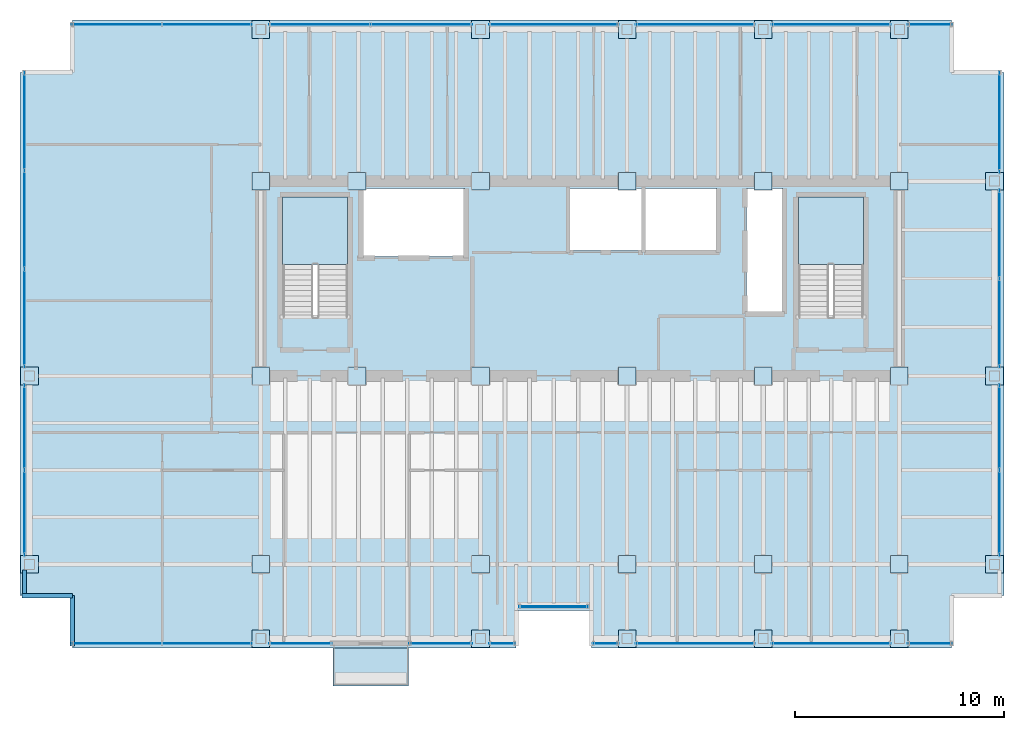
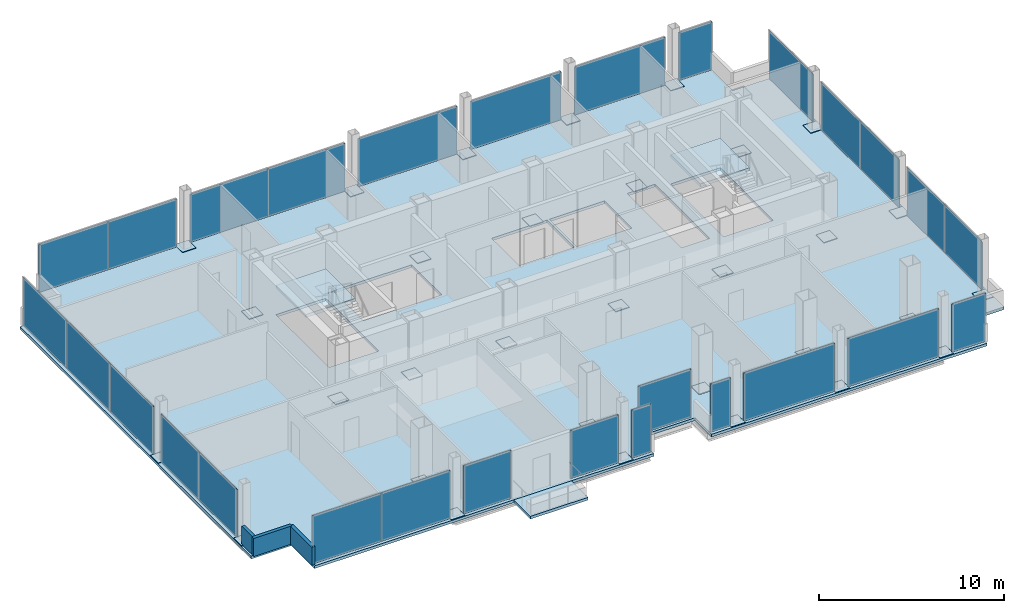
# One storey, part 15 of 19: 60 plates, 4 slabs, 3 walls, 6 openings, 22 elements without a shape of their own.
"""IFC4 building model written with IfcOpenShell, lengths in metres."""

from ifc_helpers import new_model, si_unit, direction, frame, frame_2d, origin, origin_2d, place, context, subcontext, project, spatial, polyline, rectangle, outline, extrude, material, layer, layer_set, type_object, element, aggregate, save


model = new_model("IFC4")

# Units and contexts
model_context = context("Model", 3, precision=1e-05, world=origin(), true_north=direction((0.0, 1.0)))
body_context = subcontext(model_context, "Body", "Model", "MODEL_VIEW")
ifc_project = project(units=[si_unit("LENGTHUNIT", "METRE"), si_unit("AREAUNIT", "SQUARE_METRE"), si_unit("VOLUMEUNIT", "CUBIC_METRE"), si_unit("PLANEANGLEUNIT", "RADIAN"), si_unit("MASSUNIT", "GRAM", prefix="KILO")], contexts=[model_context])

# Site, building, storey
site_placement = place(None, origin())
site = spatial("IfcSite", under=ifc_project, at=site_placement, CompositionType="ELEMENT")
building_placement = place(site_placement, origin())
building = spatial("IfcBuilding", under=site, at=building_placement, Name="Noeulbin Bourse Tower", CompositionType="ELEMENT")
storey_placement = place(building_placement, frame((0.0, 0.0, 153.89990234375)))
storey = spatial("IfcBuildingStorey", under=building, at=storey_placement, Name="L38", CompositionType="ELEMENT", Elevation=153.89990234375)

# Curtain wall, plate
ifc_material_1 = material(Name="Dark Tinted Triple Glazing", Category="glass")
curtain_wall_type = type_object("IfcCurtainWallType", Name="CW-SYS-3", PredefinedType="NOTDEFINED", material=ifc_material_1)
curtain_wall_1_placement = place(storey_placement, origin())
curtain_wall_1 = element("IfcCurtainWall", 1, at=curtain_wall_1_placement, inside=storey, type_object=curtain_wall_type, Name="Unitised Curtain Wall CW-L38-SREC", PredefinedType="NOTDEFINED")
ifc_layer_1 = layer(ifc_material_1, 0.035888671875)
ifc_layer_set_1 = layer_set([ifc_layer_1], Name="Dark Tinted Triple Glazing")
plate_type_1 = type_object("IfcPlateType", Name="CW-SYS-3-PNL", PredefinedType="CURTAIN_PANEL", material=ifc_layer_set_1)
plate_1_placement = place(storey_placement, frame((27.5, 17.97998046875, 0.0), z_axis=(0.0, 0.0, 1.0), x_axis=(1.0, 0.0, 0.0)))
plate_1 = element("IfcPlate", 2, at=plate_1_placement, type_object=plate_type_1, Name="Glazed Curtain Panel CW-L38-SREC-P00", PredefinedType="CURTAIN_PANEL", context=body_context, shape_type="SweptSolid", body=[
    extrude(rectangle(XDim=3.300048828125, YDim=0.035888671875, at=origin_2d()), origin(), (0.0, 0.0, 1.0), 3.179931640625),
])
aggregate(curtain_wall_1, [plate_1])

# Curtain wall, plates
curtain_wall_2_placement = place(storey_placement, origin())
curtain_wall_2 = element("IfcCurtainWall", 3, at=curtain_wall_2_placement, inside=storey, type_object=curtain_wall_type, Name="Unitised Curtain Wall CW-L38-S1-S1", PredefinedType="NOTDEFINED")
plate_2_placement = place(storey_placement, frame((6.632568359375, 16.219970703125, 0.0), z_axis=(0.0, 0.0, 1.0), x_axis=(1.0, 0.0, 0.0)))
plate_2 = element("IfcPlate", 4, at=plate_2_placement, type_object=plate_type_1, Name="Glazed Curtain Panel CW-L38-S1-S1-P00", PredefinedType="CURTAIN_PANEL", context=body_context, shape_type="SweptSolid", body=[
    extrude(rectangle(XDim=4.304931640625, YDim=0.035888671875, at=origin_2d()), origin(), (0.0, 0.0, 1.0), 3.179931640625),
])
plate_3_placement = place(storey_placement, frame((10.9375, 16.219970703125, 0.0), z_axis=(0.0, 0.0, 1.0), x_axis=(1.0, 0.0, 0.0)))
plate_3 = element("IfcPlate", 5, at=plate_3_placement, type_object=plate_type_1, Name="Glazed Curtain Panel CW-L38-S1-S1-P01", PredefinedType="CURTAIN_PANEL", context=body_context, shape_type="SweptSolid", body=[
    extrude(rectangle(XDim=4.304931640625, YDim=0.035888671875, at=origin_2d()), origin(), (0.0, 0.0, 1.0), 3.179931640625),
])
aggregate(curtain_wall_2, [plate_2, plate_3])

# Curtain wall, plate
curtain_wall_3_placement = place(storey_placement, origin())
curtain_wall_3 = element("IfcCurtainWall", 6, at=curtain_wall_3_placement, inside=storey, type_object=curtain_wall_type, Name="Unitised Curtain Wall CW-L38-S1-S2", PredefinedType="NOTDEFINED")
plate_4_placement = place(storey_placement, frame((15.405029296875, 16.219970703125, 0.0), z_axis=(0.0, 0.0, 1.0), x_axis=(1.0, 0.0, 0.0)))
plate_4 = element("IfcPlate", 7, at=plate_4_placement, type_object=plate_type_1, Name="Glazed Curtain Panel CW-L38-S1-S2-P00", PredefinedType="CURTAIN_PANEL", context=body_context, shape_type="SweptSolid", body=[
    extrude(rectangle(XDim=2.989990234375, YDim=0.035888671875, at=origin_2d()), origin(), (0.0, 0.0, 1.0), 3.179931640625),
])
aggregate(curtain_wall_3, [plate_4])

curtain_wall_4_placement = place(storey_placement, origin())
curtain_wall_4 = element("IfcCurtainWall", 8, at=curtain_wall_4_placement, inside=storey, type_object=curtain_wall_type, Name="Unitised Curtain Wall CW-L38-S2-S1", PredefinedType="NOTDEFINED")
plate_5_placement = place(storey_placement, frame((22.094970703125, 16.219970703125, 0.0), z_axis=(0.0, 0.0, 1.0), x_axis=(1.0, 0.0, 0.0)))
plate_5 = element("IfcPlate", 9, at=plate_5_placement, type_object=plate_type_1, Name="Glazed Curtain Panel CW-L38-S2-S1-P00", PredefinedType="CURTAIN_PANEL", context=body_context, shape_type="SweptSolid", body=[
    extrude(rectangle(XDim=2.989990234375, YDim=0.035888671875, at=origin_2d()), origin(), (0.0, 0.0, 1.0), 3.179931640625),
])
aggregate(curtain_wall_4, [plate_5])

curtain_wall_5_placement = place(storey_placement, origin())
curtain_wall_5 = element("IfcCurtainWall", 10, at=curtain_wall_5_placement, inside=storey, type_object=curtain_wall_type, Name="Unitised Curtain Wall CW-L38-S2-S2", PredefinedType="NOTDEFINED")
plate_6_placement = place(storey_placement, frame((25.030029296875, 16.219970703125, 0.0), z_axis=(0.0, 0.0, 1.0), x_axis=(1.0, 0.0, 0.0)))
plate_6 = element("IfcPlate", 11, at=plate_6_placement, type_object=plate_type_1, Name="Glazed Curtain Panel CW-L38-S2-S2-P00", PredefinedType="CURTAIN_PANEL", context=body_context, shape_type="SweptSolid", body=[
    extrude(rectangle(XDim=1.239990234375, YDim=0.035888671875, at=origin_2d()), origin(), (0.0, 0.0, 1.0), 3.179931640625),
])
aggregate(curtain_wall_5, [plate_6])

curtain_wall_6_placement = place(storey_placement, origin())
curtain_wall_6 = element("IfcCurtainWall", 12, at=curtain_wall_6_placement, inside=storey, type_object=curtain_wall_type, Name="Unitised Curtain Wall CW-L38-S3-S1", PredefinedType="NOTDEFINED")
plate_7_placement = place(storey_placement, frame((29.969970703125, 16.219970703125, 0.0), z_axis=(0.0, 0.0, 1.0), x_axis=(1.0, 0.0, 0.0)))
plate_7 = element("IfcPlate", 13, at=plate_7_placement, type_object=plate_type_1, Name="Glazed Curtain Panel CW-L38-S3-S1-P00", PredefinedType="CURTAIN_PANEL", context=body_context, shape_type="SweptSolid", body=[
    extrude(rectangle(XDim=1.239990234375, YDim=0.035888671875, at=origin_2d()), origin(), (0.0, 0.0, 1.0), 3.179931640625),
])
aggregate(curtain_wall_6, [plate_7])

curtain_wall_7_placement = place(storey_placement, origin())
curtain_wall_7 = element("IfcCurtainWall", 14, at=curtain_wall_7_placement, inside=storey, type_object=curtain_wall_type, Name="Unitised Curtain Wall CW-L38-S3-S2", PredefinedType="NOTDEFINED")
plate_8_placement = place(storey_placement, frame((34.25, 16.219970703125, 0.0), z_axis=(0.0, 0.0, 1.0), x_axis=(1.0, 0.0, 0.0)))
plate_8 = element("IfcPlate", 15, at=plate_8_placement, type_object=plate_type_1, Name="Glazed Curtain Panel CW-L38-S3-S2-P00", PredefinedType="CURTAIN_PANEL", context=body_context, shape_type="SweptSolid", body=[
    extrude(rectangle(XDim=5.679931640625, YDim=0.035888671875, at=origin_2d()), origin(), (0.0, 0.0, 1.0), 3.179931640625),
])
aggregate(curtain_wall_7, [plate_8])

curtain_wall_8_placement = place(storey_placement, origin())
curtain_wall_8 = element("IfcCurtainWall", 16, at=curtain_wall_8_placement, inside=storey, type_object=curtain_wall_type, Name="Unitised Curtain Wall CW-L38-S3-S3", PredefinedType="NOTDEFINED")
plate_9_placement = place(storey_placement, frame((40.75, 16.219970703125, 0.0), z_axis=(0.0, 0.0, 1.0), x_axis=(1.0, 0.0, 0.0)))
plate_9 = element("IfcPlate", 17, at=plate_9_placement, type_object=plate_type_1, Name="Glazed Curtain Panel CW-L38-S3-S3-P00", PredefinedType="CURTAIN_PANEL", context=body_context, shape_type="SweptSolid", body=[
    extrude(rectangle(XDim=5.679931640625, YDim=0.035888671875, at=origin_2d()), origin(), (0.0, 0.0, 1.0), 3.179931640625),
])
aggregate(curtain_wall_8, [plate_9])

curtain_wall_9_placement = place(storey_placement, origin())
curtain_wall_9 = element("IfcCurtainWall", 18, at=curtain_wall_9_placement, inside=storey, type_object=curtain_wall_type, Name="Unitised Curtain Wall CW-L38-S3-S4", PredefinedType="NOTDEFINED")
plate_10_placement = place(storey_placement, frame((45.465087890625, 16.219970703125, 0.0), z_axis=(0.0, 0.0, 1.0), x_axis=(1.0, 0.0, 0.0)))
plate_10 = element("IfcPlate", 19, at=plate_10_placement, type_object=plate_type_1, Name="Glazed Curtain Panel CW-L38-S3-S4-P00", PredefinedType="CURTAIN_PANEL", context=body_context, shape_type="SweptSolid", body=[
    extrude(rectangle(XDim=2.110107421875, YDim=0.035888671875, at=origin_2d()), origin(), (0.0, 0.0, 1.0), 3.179931640625),
])
aggregate(curtain_wall_9, [plate_10])

# Curtain wall, plates
curtain_wall_10_placement = place(storey_placement, origin())
curtain_wall_10 = element("IfcCurtainWall", 20, at=curtain_wall_10_placement, inside=storey, type_object=curtain_wall_type, Name="Unitised Curtain Wall CW-L38-N-S1", PredefinedType="NOTDEFINED")
plate_11_placement = place(storey_placement, frame((6.632568359375, 45.780029296875, 0.0), z_axis=(0.0, 0.0, 1.0), x_axis=(1.0, 0.0, 0.0)))
plate_11 = element("IfcPlate", 21, at=plate_11_placement, type_object=plate_type_1, Name="Glazed Curtain Panel CW-L38-N-S1-P00", PredefinedType="CURTAIN_PANEL", context=body_context, shape_type="SweptSolid", body=[
    extrude(rectangle(XDim=4.304931640625, YDim=0.035888671875, at=origin_2d()), origin(), (0.0, 0.0, 1.0), 3.179931640625),
])
plate_12_placement = place(storey_placement, frame((10.9375, 45.780029296875, 0.0), z_axis=(0.0, 0.0, 1.0), x_axis=(1.0, 0.0, 0.0)))
plate_12 = element("IfcPlate", 22, at=plate_12_placement, type_object=plate_type_1, Name="Glazed Curtain Panel CW-L38-N-S1-P01", PredefinedType="CURTAIN_PANEL", context=body_context, shape_type="SweptSolid", body=[
    extrude(rectangle(XDim=4.304931640625, YDim=0.035888671875, at=origin_2d()), origin(), (0.0, 0.0, 1.0), 3.179931640625),
])
aggregate(curtain_wall_10, [plate_11, plate_12])

curtain_wall_11_placement = place(storey_placement, origin())
curtain_wall_11 = element("IfcCurtainWall", 23, at=curtain_wall_11_placement, inside=storey, type_object=curtain_wall_type, Name="Unitised Curtain Wall CW-L38-N-S2", PredefinedType="NOTDEFINED")
plate_13_placement = place(storey_placement, frame((16.330078125, 45.780029296875, 0.0), z_axis=(0.0, 0.0, 1.0), x_axis=(1.0, 0.0, 0.0)))
plate_13 = element("IfcPlate", 24, at=plate_13_placement, type_object=plate_type_1, Name="Glazed Curtain Panel CW-L38-N-S2-P00", PredefinedType="CURTAIN_PANEL", context=body_context, shape_type="SweptSolid", body=[
    extrude(rectangle(XDim=4.840087890625, YDim=0.035888671875, at=origin_2d()), origin(), (0.0, 0.0, 1.0), 3.179931640625),
])
plate_14_placement = place(storey_placement, frame((21.169921875, 45.780029296875, 0.0), z_axis=(0.0, 0.0, 1.0), x_axis=(1.0, 0.0, 0.0)))
plate_14 = element("IfcPlate", 25, at=plate_14_placement, type_object=plate_type_1, Name="Glazed Curtain Panel CW-L38-N-S2-P01", PredefinedType="CURTAIN_PANEL", context=body_context, shape_type="SweptSolid", body=[
    extrude(rectangle(XDim=4.840087890625, YDim=0.035888671875, at=origin_2d()), origin(), (0.0, 0.0, 1.0), 3.179931640625),
])
aggregate(curtain_wall_11, [plate_13, plate_14])

# Curtain wall, plate
curtain_wall_12_placement = place(storey_placement, origin())
curtain_wall_12 = element("IfcCurtainWall", 26, at=curtain_wall_12_placement, inside=storey, type_object=curtain_wall_type, Name="Unitised Curtain Wall CW-L38-N-S3", PredefinedType="NOTDEFINED")
plate_15_placement = place(storey_placement, frame((27.5, 45.780029296875, 0.0), z_axis=(0.0, 0.0, 1.0), x_axis=(1.0, 0.0, 0.0)))
plate_15 = element("IfcPlate", 27, at=plate_15_placement, type_object=plate_type_1, Name="Glazed Curtain Panel CW-L38-N-S3-P00", PredefinedType="CURTAIN_PANEL", context=body_context, shape_type="SweptSolid", body=[
    extrude(rectangle(XDim=6.179931640625, YDim=0.035888671875, at=origin_2d()), origin(), (0.0, 0.0, 1.0), 3.179931640625),
])
aggregate(curtain_wall_12, [plate_15])

curtain_wall_13_placement = place(storey_placement, origin())
curtain_wall_13 = element("IfcCurtainWall", 28, at=curtain_wall_13_placement, inside=storey, type_object=curtain_wall_type, Name="Unitised Curtain Wall CW-L38-N-S4", PredefinedType="NOTDEFINED")
plate_16_placement = place(storey_placement, frame((34.25, 45.780029296875, 0.0), z_axis=(0.0, 0.0, 1.0), x_axis=(1.0, 0.0, 0.0)))
plate_16 = element("IfcPlate", 29, at=plate_16_placement, type_object=plate_type_1, Name="Glazed Curtain Panel CW-L38-N-S4-P00", PredefinedType="CURTAIN_PANEL", context=body_context, shape_type="SweptSolid", body=[
    extrude(rectangle(XDim=5.679931640625, YDim=0.035888671875, at=origin_2d()), origin(), (0.0, 0.0, 1.0), 3.179931640625),
])
aggregate(curtain_wall_13, [plate_16])

curtain_wall_14_placement = place(storey_placement, origin())
curtain_wall_14 = element("IfcCurtainWall", 30, at=curtain_wall_14_placement, inside=storey, type_object=curtain_wall_type, Name="Unitised Curtain Wall CW-L38-N-S5", PredefinedType="NOTDEFINED")
plate_17_placement = place(storey_placement, frame((40.75, 45.780029296875, 0.0), z_axis=(0.0, 0.0, 1.0), x_axis=(1.0, 0.0, 0.0)))
plate_17 = element("IfcPlate", 31, at=plate_17_placement, type_object=plate_type_1, Name="Glazed Curtain Panel CW-L38-N-S5-P00", PredefinedType="CURTAIN_PANEL", context=body_context, shape_type="SweptSolid", body=[
    extrude(rectangle(XDim=5.679931640625, YDim=0.035888671875, at=origin_2d()), origin(), (0.0, 0.0, 1.0), 3.179931640625),
])
aggregate(curtain_wall_14, [plate_17])

curtain_wall_15_placement = place(storey_placement, origin())
curtain_wall_15 = element("IfcCurtainWall", 32, at=curtain_wall_15_placement, inside=storey, type_object=curtain_wall_type, Name="Unitised Curtain Wall CW-L38-N-S6", PredefinedType="NOTDEFINED")
plate_18_placement = place(storey_placement, frame((45.465087890625, 45.780029296875, 0.0), z_axis=(0.0, 0.0, 1.0), x_axis=(1.0, 0.0, 0.0)))
plate_18 = element("IfcPlate", 33, at=plate_18_placement, type_object=plate_type_1, Name="Glazed Curtain Panel CW-L38-N-S6-P00", PredefinedType="CURTAIN_PANEL", context=body_context, shape_type="SweptSolid", body=[
    extrude(rectangle(XDim=2.110107421875, YDim=0.035888671875, at=origin_2d()), origin(), (0.0, 0.0, 1.0), 3.179931640625),
])
aggregate(curtain_wall_15, [plate_18])

# Curtain wall, plates
curtain_wall_16_placement = place(storey_placement, origin())
curtain_wall_16 = element("IfcCurtainWall", 34, at=curtain_wall_16_placement, inside=storey, type_object=curtain_wall_type, Name="Unitised Curtain Wall CW-L38-W-S1", PredefinedType="NOTDEFINED")
plate_19_placement = place(storey_placement, frame((2.219970703125, 22.455078125, 0.0), z_axis=(0.0, 0.0, 1.0), x_axis=(0.0, 1.0, 0.0)))
plate_19 = element("IfcPlate", 35, at=plate_19_placement, type_object=plate_type_1, Name="Glazed Curtain Panel CW-L38-W-S1-P00", PredefinedType="CURTAIN_PANEL", context=body_context, shape_type="SweptSolid", body=[
    extrude(rectangle(XDim=4.090087890625, YDim=0.035888671875, at=origin_2d()), origin(), (0.0, 0.0, 1.0), 3.179931640625),
])
plate_20_placement = place(storey_placement, frame((2.219970703125, 26.544921875, 0.0), z_axis=(0.0, 0.0, 1.0), x_axis=(0.0, 1.0, 0.0)))
plate_20 = element("IfcPlate", 36, at=plate_20_placement, type_object=plate_type_1, Name="Glazed Curtain Panel CW-L38-W-S1-P01", PredefinedType="CURTAIN_PANEL", context=body_context, shape_type="SweptSolid", body=[
    extrude(rectangle(XDim=4.090087890625, YDim=0.035888671875, at=origin_2d()), origin(), (0.0, 0.0, 1.0), 3.179931640625),
])
aggregate(curtain_wall_16, [plate_19, plate_20])

curtain_wall_17_placement = place(storey_placement, origin())
curtain_wall_17 = element("IfcCurtainWall", 37, at=curtain_wall_17_placement, inside=storey, type_object=curtain_wall_type, Name="Unitised Curtain Wall CW-L38-W-S2", PredefinedType="NOTDEFINED")
plate_21_placement = place(storey_placement, frame((2.219970703125, 31.76171875, 0.0), z_axis=(0.0, 0.0, 1.0), x_axis=(0.0, 1.0, 0.0)))
plate_21 = element("IfcPlate", 38, at=plate_21_placement, type_object=plate_type_1, Name="Glazed Curtain Panel CW-L38-W-S2-P00", PredefinedType="CURTAIN_PANEL", context=body_context, shape_type="SweptSolid", body=[
    extrude(rectangle(XDim=4.703369140625, YDim=0.035888671875, at=origin_2d()), origin(), (0.0, 0.0, 1.0), 3.179931640625),
])
plate_22_placement = place(storey_placement, frame((2.219970703125, 36.465087890625, 0.0), z_axis=(0.0, 0.0, 1.0), x_axis=(0.0, 1.0, 0.0)))
plate_22 = element("IfcPlate", 39, at=plate_22_placement, type_object=plate_type_1, Name="Glazed Curtain Panel CW-L38-W-S2-P01", PredefinedType="CURTAIN_PANEL", context=body_context, shape_type="SweptSolid", body=[
    extrude(rectangle(XDim=4.703369140625, YDim=0.035888671875, at=origin_2d()), origin(), (0.0, 0.0, 1.0), 3.179931640625),
])
plate_23_placement = place(storey_placement, frame((2.219970703125, 41.168212890625, 0.0), z_axis=(0.0, 0.0, 1.0), x_axis=(0.0, 1.0, 0.0)))
plate_23 = element("IfcPlate", 40, at=plate_23_placement, type_object=plate_type_1, Name="Glazed Curtain Panel CW-L38-W-S2-P02", PredefinedType="CURTAIN_PANEL", context=body_context, shape_type="SweptSolid", body=[
    extrude(rectangle(XDim=4.703369140625, YDim=0.035888671875, at=origin_2d()), origin(), (0.0, 0.0, 1.0), 3.179931640625),
])
aggregate(curtain_wall_17, [plate_21, plate_22, plate_23])

curtain_wall_18_placement = place(storey_placement, origin())
curtain_wall_18 = element("IfcCurtainWall", 41, at=curtain_wall_18_placement, inside=storey, type_object=curtain_wall_type, Name="Unitised Curtain Wall CW-L38-E-S1", PredefinedType="NOTDEFINED")
plate_24_placement = place(storey_placement, frame((48.780029296875, 22.455078125, 0.0), z_axis=(0.0, 0.0, 1.0), x_axis=(0.0, 1.0, 0.0)))
plate_24 = element("IfcPlate", 42, at=plate_24_placement, type_object=plate_type_1, Name="Glazed Curtain Panel CW-L38-E-S1-P00", PredefinedType="CURTAIN_PANEL", context=body_context, shape_type="SweptSolid", body=[
    extrude(rectangle(XDim=4.090087890625, YDim=0.035888671875, at=origin_2d()), origin(), (0.0, 0.0, 1.0), 3.179931640625),
])
plate_25_placement = place(storey_placement, frame((48.780029296875, 26.544921875, 0.0), z_axis=(0.0, 0.0, 1.0), x_axis=(0.0, 1.0, 0.0)))
plate_25 = element("IfcPlate", 43, at=plate_25_placement, type_object=plate_type_1, Name="Glazed Curtain Panel CW-L38-E-S1-P01", PredefinedType="CURTAIN_PANEL", context=body_context, shape_type="SweptSolid", body=[
    extrude(rectangle(XDim=4.090087890625, YDim=0.035888671875, at=origin_2d()), origin(), (0.0, 0.0, 1.0), 3.179931640625),
])
aggregate(curtain_wall_18, [plate_24, plate_25])

curtain_wall_19_placement = place(storey_placement, origin())
curtain_wall_19 = element("IfcCurtainWall", 44, at=curtain_wall_19_placement, inside=storey, type_object=curtain_wall_type, Name="Unitised Curtain Wall CW-L38-E-S2", PredefinedType="NOTDEFINED")
plate_26_placement = place(storey_placement, frame((48.780029296875, 31.530029296875, 0.0), z_axis=(0.0, 0.0, 1.0), x_axis=(0.0, 1.0, 0.0)))
plate_26 = element("IfcPlate", 45, at=plate_26_placement, type_object=plate_type_1, Name="Glazed Curtain Panel CW-L38-E-S2-P00", PredefinedType="CURTAIN_PANEL", context=body_context, shape_type="SweptSolid", body=[
    extrude(rectangle(XDim=4.239990234375, YDim=0.035888671875, at=origin_2d()), origin(), (0.0, 0.0, 1.0), 3.179931640625),
])
plate_27_placement = place(storey_placement, frame((48.780029296875, 35.77001953125, 0.0), z_axis=(0.0, 0.0, 1.0), x_axis=(0.0, 1.0, 0.0)))
plate_27 = element("IfcPlate", 46, at=plate_27_placement, type_object=plate_type_1, Name="Glazed Curtain Panel CW-L38-E-S2-P01", PredefinedType="CURTAIN_PANEL", context=body_context, shape_type="SweptSolid", body=[
    extrude(rectangle(XDim=4.239990234375, YDim=0.035888671875, at=origin_2d()), origin(), (0.0, 0.0, 1.0), 3.179931640625),
])
aggregate(curtain_wall_19, [plate_26, plate_27])

# Curtain wall, plate
curtain_wall_20_placement = place(storey_placement, origin())
curtain_wall_20 = element("IfcCurtainWall", 47, at=curtain_wall_20_placement, inside=storey, type_object=curtain_wall_type, Name="Unitised Curtain Wall CW-L38-E-S3", PredefinedType="NOTDEFINED")
plate_28_placement = place(storey_placement, frame((48.780029296875, 41.114990234375, 0.0), z_axis=(0.0, 0.0, 1.0), x_axis=(0.0, 1.0, 0.0)))
plate_28 = element("IfcPlate", 48, at=plate_28_placement, type_object=plate_type_1, Name="Glazed Curtain Panel CW-L38-E-S3-P00", PredefinedType="CURTAIN_PANEL", context=body_context, shape_type="SweptSolid", body=[
    extrude(rectangle(XDim=4.81005859375, YDim=0.035888671875, at=origin_2d()), origin(), (0.0, 0.0, 1.0), 3.179931640625),
])
aggregate(curtain_wall_20, [plate_28])

# Plates
ifc_material_2 = material(Name="Steel S355", Category="steel")
ifc_layer_2 = layer(ifc_material_2, 0.030029296875)
ifc_layer_set_2 = layer_set([ifc_layer_2], Name="Steel S355")
plate_type_2 = type_object("IfcPlateType", Name="PLT-BN1", PredefinedType="USERDEFINED", material=ifc_layer_set_2)
for number, where, z_axis, x_axis, name in (
    (49, (13.5, 29.0, 0.0048828125), (0.0, 0.0, 1.0), (1.0, 0.0, 0.0), "Mega-Column Splice Plate BN1-L38-01"),
    (50, (13.5, 38.300048828125, 0.0048828125), (0.0, 0.0, 1.0), (1.0, 0.0, 0.0), "Mega-Column Splice Plate BN1-L38-02"),
    (51, (18.10009765625, 29.0, 0.0048828125), (0.0, 0.0, 1.0), (1.0, 0.0, 0.0), "Mega-Column Splice Plate BN1-L38-03"),
    (52, (18.10009765625, 38.300048828125, 0.0048828125), (0.0, 0.0, 1.0), (1.0, 0.0, 0.0), "Mega-Column Splice Plate BN1-L38-04"),
    (53, (24.0, 29.0, 0.0048828125), (0.0, 0.0, 1.0), (1.0, 0.0, 0.0), "Mega-Column Splice Plate BN1-L38-05"),
    (54, (24.0, 38.300048828125, 0.0048828125), (0.0, 0.0, 1.0), (1.0, 0.0, 0.0), "Mega-Column Splice Plate BN1-L38-06"),
    (55, (31.0, 29.0, 0.0048828125), (0.0, 0.0, 1.0), (1.0, 0.0, 0.0), "Mega-Column Splice Plate BN1-L38-07"),
    (56, (31.0, 38.300048828125, 0.0048828125), (0.0, 0.0, 1.0), (1.0, 0.0, 0.0), "Mega-Column Splice Plate BN1-L38-08"),
    (57, (37.5, 29.0, 0.0048828125), (0.0, 0.0, 1.0), (1.0, 0.0, 0.0), "Mega-Column Splice Plate BN1-L38-09"),
    (58, (37.5, 38.300048828125, 0.0048828125), (0.0, 0.0, 1.0), (1.0, 0.0, 0.0), "Mega-Column Splice Plate BN1-L38-10"),
    (59, (44.0, 29.0, 0.0048828125), (0.0, 0.0, 1.0), (1.0, 0.0, 0.0), "Mega-Column Splice Plate BN1-L38-11"),
    (60, (44.0, 38.300048828125, 0.0048828125), (0.0, 0.0, 1.0), (1.0, 0.0, 0.0), "Mega-Column Splice Plate BN1-L38-12"),
    (61, (13.5, 20.0, 0.0048828125), (0.0, 0.0, 1.0), (1.0, 0.0, 0.0), "Mega-Column Splice Plate BN1-L38-13"),
    (62, (24.0, 20.0, 0.0048828125), (0.0, 0.0, 1.0), (1.0, 0.0, 0.0), "Mega-Column Splice Plate BN1-L38-14"),
    (63, (31.0, 20.0, 0.0048828125), (0.0, 0.0, 1.0), (1.0, 0.0, 0.0), "Mega-Column Splice Plate BN1-L38-15"),
    (64, (37.5, 20.0, 0.0048828125), (0.0, 0.0, 1.0), (1.0, 0.0, 0.0), "Mega-Column Splice Plate BN1-L38-16"),
    (65, (44.0, 20.0, 0.0048828125), (0.0, 0.0, 1.0), (1.0, 0.0, 0.0), "Mega-Column Splice Plate BN1-L38-17"),
    (66, (2.449951171875, 20.0, 0.0048828125), (0.0, 0.0, 1.0), (1.0, 0.0, 0.0), "Perimeter Column Splice Plate BN1-L38-01"),
    (67, (2.449951171875, 29.0, 0.0048828125), (0.0, 0.0, 1.0), (1.0, 0.0, 0.0), "Perimeter Column Splice Plate BN1-L38-02"),
    (68, (13.5, 16.449951171875, 0.0048828125), (0.0, 0.0, 1.0), (1.0, 0.0, 0.0), "Perimeter Column Splice Plate BN1-L38-03"),
    (69, (13.5, 45.550048828125, 0.0048828125), (0.0, 0.0, 1.0), (1.0, 0.0, 0.0), "Perimeter Column Splice Plate BN1-L38-04"),
    (70, (24.0, 16.449951171875, 0.0048828125), (0.0, 0.0, 1.0), (1.0, 0.0, 0.0), "Perimeter Column Splice Plate BN1-L38-05"),
    (71, (24.0, 45.550048828125, 0.0048828125), (0.0, 0.0, 1.0), (1.0, 0.0, 0.0), "Perimeter Column Splice Plate BN1-L38-06"),
    (72, (31.0, 16.449951171875, 0.0048828125), (0.0, 0.0, 1.0), (1.0, 0.0, 0.0), "Perimeter Column Splice Plate BN1-L38-07"),
    (73, (31.0, 45.550048828125, 0.0048828125), (0.0, 0.0, 1.0), (1.0, 0.0, 0.0), "Perimeter Column Splice Plate BN1-L38-08"),
    (74, (37.5, 16.449951171875, 0.0048828125), (0.0, 0.0, 1.0), (1.0, 0.0, 0.0), "Perimeter Column Splice Plate BN1-L38-09"),
    (75, (37.5, 45.550048828125, 0.0048828125), (0.0, 0.0, 1.0), (1.0, 0.0, 0.0), "Perimeter Column Splice Plate BN1-L38-10"),
    (76, (44.0, 16.449951171875, 0.0048828125), (0.0, 0.0, 1.0), (1.0, 0.0, 0.0), "Perimeter Column Splice Plate BN1-L38-11"),
    (77, (44.0, 45.550048828125, 0.0048828125), (0.0, 0.0, 1.0), (1.0, 0.0, 0.0), "Perimeter Column Splice Plate BN1-L38-12"),
    (78, (48.550048828125, 20.0, 0.0048828125), (0.0, 0.0, 1.0), (1.0, 0.0, 0.0), "Perimeter Column Splice Plate BN1-L38-13"),
    (79, (48.550048828125, 29.0, 0.0048828125), (0.0, 0.0, 1.0), (1.0, 0.0, 0.0), "Perimeter Column Splice Plate BN1-L38-14"),
    (80, (48.550048828125, 38.300048828125, 0.0048828125), (0.0, 0.0, 1.0), (1.0, 0.0, 0.0), "Perimeter Column Splice Plate BN1-L38-15"),
):
    element("IfcPlate", number, at=place(storey_placement, frame(where, z_axis=z_axis, x_axis=x_axis)), inside=storey, type_object=plate_type_2, Name=name, ObjectType="SPLICE PLATE", PredefinedType="USERDEFINED", context=body_context, shape_type="SweptSolid", body=[
        extrude(rectangle(XDim=0.85009765625, YDim=0.85009765625, at=origin_2d()), origin(), (0.0, 0.0, 1.0), 0.030029296875),
    ])

# Stair, slab
ifc_material_3 = material(Name="Concrete C40/50", Category="concrete")
stair_type = type_object("IfcStairType", Name="STR-CORE-1560", PredefinedType="HALF_TURN_STAIR", material=ifc_material_3)
stair_1_placement = place(storey_placement, origin())
stair_1 = element("IfcStair", 81, at=stair_1_placement, inside=storey, type_object=stair_type, Name="L38 ST-1", PredefinedType="HALF_TURN_STAIR")
ifc_layer_3 = layer(ifc_material_3, 0.199951171875)
ifc_layer_set_3 = layer_set([ifc_layer_3], Name="Concrete C40/50")
slab_type_1 = type_object("IfcSlabType", Name="SLB-LND-200", PredefinedType="LANDING", material=ifc_layer_set_3)
slab_1_placement = place(storey_placement, frame((0.0, 0.0, 1.75)))
slab_1 = element("IfcSlab", 82, at=slab_1_placement, type_object=slab_type_1, Name="ST-1 landing 1", PredefinedType="LANDING", context=body_context, shape_type="SweptSolid", body=[
    extrude(outline(polyline([(17.64990234375, 34.330078125), (17.64990234375, 37.5439453125), (14.550048828125, 37.5439453125), (14.550048828125, 34.330078125), (17.64990234375, 34.330078125)])), origin(), (0.0, 0.0, 1.0), 0.2001953125),
])
aggregate(stair_1, [slab_1])

stair_2_placement = place(storey_placement, origin())
stair_2 = element("IfcStair", 83, at=stair_2_placement, inside=storey, type_object=stair_type, Name="L38 ST-2", PredefinedType="HALF_TURN_STAIR")
slab_2_placement = place(storey_placement, frame((0.0, 0.0, 1.75)))
slab_2 = element("IfcSlab", 84, at=slab_2_placement, type_object=slab_type_1, Name="ST-2 landing 1", PredefinedType="LANDING", context=body_context, shape_type="SweptSolid", body=[
    extrude(outline(polyline([(42.280029296875, 34.330078125), (42.280029296875, 37.5439453125), (39.179931640625, 37.5439453125), (39.179931640625, 34.330078125), (42.280029296875, 34.330078125)])), origin(), (0.0, 0.0, 1.0), 0.2001953125),
])
aggregate(stair_2, [slab_2])

# Slab, openings
ifc_layer_4 = layer(ifc_material_3, 0.179931640625)
ifc_layer_set_4 = layer_set([ifc_layer_4], Name="Concrete C40/50")
slab_type_2 = type_object("IfcSlabType", Name="SLB-TYP-180", PredefinedType="FLOOR", material=ifc_layer_set_4)
slab_3_placement = place(storey_placement, frame((0.0, 0.0, -0.179931640625)))
slab_3 = element("IfcSlab", 85, at=slab_3_placement, inside=storey, type_object=slab_type_2, Name="Tower Structural Floor Slab L38", PredefinedType="FLOOR", context=body_context, shape_type="SweptSolid", body=[
    extrude(outline(polyline([(4.5, 16.0), (25.699951171875, 16.0), (25.699951171875, 17.800048828125), (29.300048828125, 17.800048828125), (29.300048828125, 16.0), (46.5, 16.0), (46.5, 18.5), (49.0, 18.5), (49.0, 43.5), (46.5, 43.5), (46.5, 46.0), (4.5, 46.0), (4.5, 43.5), (2.0, 43.5), (2.0, 18.5), (4.5, 18.5), (4.5, 16.0)]), holes=[polyline([(17.64990234375, 31.81005859375), (17.64990234375, 37.5439453125), (14.550048828125, 37.5439453125), (14.550048828125, 31.81005859375), (17.64990234375, 31.81005859375)]), polyline([(42.280029296875, 31.81005859375), (42.280029296875, 37.5439453125), (39.179931640625, 37.5439453125), (39.179931640625, 31.81005859375), (42.280029296875, 31.81005859375)]), polyline([(18.35009765625, 34.699951171875), (23.25, 34.699951171875), (23.25, 37.949951171875), (18.35009765625, 37.949951171875), (18.35009765625, 34.699951171875)]), polyline([(36.699951171875, 32.050048828125), (38.449951171875, 32.050048828125), (38.449951171875, 37.949951171875), (36.699951171875, 37.949951171875), (36.699951171875, 32.050048828125)]), polyline([(28.25, 35.0), (31.699951171875, 35.0), (31.699951171875, 37.949951171875), (28.25, 37.949951171875), (28.25, 35.0)]), polyline([(31.85009765625, 35.0), (35.300048828125, 35.0), (35.300048828125, 37.949951171875), (31.85009765625, 37.949951171875), (31.85009765625, 35.0)])]), origin(), (0.0, 0.0, 1.0), 0.179931640625),
])
opening_1_placement = place(slab_3_placement, frame((0.0, 0.0, -0.010009765625)))
element("IfcOpeningElement", 86, at=opening_1_placement, cuts=slab_3, Name="Slab Shaft Opening SLB-L38-TWR-1", PredefinedType="OPENING", context=body_context, shape_type="SweptSolid", body=[
    extrude(outline(polyline([(17.64990234375, 31.81005859375), (17.64990234375, 37.5439453125), (14.550048828125, 37.5439453125), (14.550048828125, 31.81005859375), (17.64990234375, 31.81005859375)])), origin(), (0.0, 0.0, 1.0), 0.199951171875),
])
opening_2_placement = place(slab_3_placement, frame((0.0, 0.0, -0.010009765625)))
element("IfcOpeningElement", 87, at=opening_2_placement, cuts=slab_3, Name="Slab Shaft Opening SLB-L38-TWR-2", PredefinedType="OPENING", context=body_context, shape_type="SweptSolid", body=[
    extrude(outline(polyline([(42.280029296875, 31.81005859375), (42.280029296875, 37.5439453125), (39.179931640625, 37.5439453125), (39.179931640625, 31.81005859375), (42.280029296875, 31.81005859375)])), origin(), (0.0, 0.0, 1.0), 0.199951171875),
])
opening_3_placement = place(slab_3_placement, frame((0.0, 0.0, -0.010009765625)))
element("IfcOpeningElement", 88, at=opening_3_placement, cuts=slab_3, Name="Slab Shaft Opening SLB-L38-TWR-3", PredefinedType="OPENING", context=body_context, shape_type="SweptSolid", body=[
    extrude(outline(polyline([(18.35009765625, 34.699951171875), (23.25, 34.699951171875), (23.25, 37.949951171875), (18.35009765625, 37.949951171875), (18.35009765625, 34.699951171875)])), origin(), (0.0, 0.0, 1.0), 0.199951171875),
])
opening_4_placement = place(slab_3_placement, frame((0.0, 0.0, -0.010009765625)))
element("IfcOpeningElement", 89, at=opening_4_placement, cuts=slab_3, Name="Slab Shaft Opening SLB-L38-TWR-4", PredefinedType="OPENING", context=body_context, shape_type="SweptSolid", body=[
    extrude(outline(polyline([(36.699951171875, 32.050048828125), (38.449951171875, 32.050048828125), (38.449951171875, 37.949951171875), (36.699951171875, 37.949951171875), (36.699951171875, 32.050048828125)])), origin(), (0.0, 0.0, 1.0), 0.199951171875),
])
opening_5_placement = place(slab_3_placement, frame((0.0, 0.0, -0.010009765625)))
element("IfcOpeningElement", 90, at=opening_5_placement, cuts=slab_3, Name="Slab Shaft Opening SLB-L38-TWR-5", PredefinedType="OPENING", context=body_context, shape_type="SweptSolid", body=[
    extrude(outline(polyline([(28.25, 35.0), (31.699951171875, 35.0), (31.699951171875, 37.949951171875), (28.25, 37.949951171875), (28.25, 35.0)])), origin(), (0.0, 0.0, 1.0), 0.199951171875),
])
opening_6_placement = place(slab_3_placement, frame((0.0, 0.0, -0.010009765625)))
element("IfcOpeningElement", 91, at=opening_6_placement, cuts=slab_3, Name="Slab Shaft Opening SLB-L38-TWR-6", PredefinedType="OPENING", context=body_context, shape_type="SweptSolid", body=[
    extrude(outline(polyline([(31.85009765625, 35.0), (35.300048828125, 35.0), (35.300048828125, 37.949951171875), (31.85009765625, 37.949951171875), (31.85009765625, 35.0)])), origin(), (0.0, 0.0, 1.0), 0.199951171875),
])

# Slab
slab_4_placement = place(storey_placement, frame((0.0, 0.0, -0.179931640625)))
element("IfcSlab", 92, at=slab_4_placement, inside=storey, type_object=slab_type_2, Name="Cantilevered Tree-Balcony Slab L38", PredefinedType="FLOOR", context=body_context, shape_type="SweptSolid", body=[
    extrude(outline(polyline([(16.949951171875, 14.199951171875), (20.550048828125, 14.199951171875), (20.550048828125, 16.0), (16.949951171875, 16.0), (16.949951171875, 14.199951171875)])), origin(), (0.0, 0.0, 1.0), 0.179931640625),
])

# Walls
ifc_layer_5 = layer(ifc_material_3, 0.199951171875)
ifc_layer_set_5 = layer_set([ifc_layer_5], Name="Concrete C40/50")
wall_type = type_object("IfcWallType", Name="WAL-PAR-200", PredefinedType="PARAPET", material=ifc_layer_set_5)
wall_placement = place(storey_placement, frame((2.219970703125, 18.60009765625, 0.0), z_axis=(0.0, 0.0, 1.0), x_axis=(0.0, 1.0, 0.0)))
element("IfcWall", 93, at=wall_placement, inside=storey, type_object=wall_type, Name="Perimeter Pier Spandrel Parapet L38-W1", PredefinedType="PARAPET", context=body_context, shape_type="SweptSolid", body=[
    extrude(rectangle(XDim=1.1298828125, YDim=0.199951171875, at=frame_2d((0.56494140625, 0.0))), origin(), (0.0, 0.0, 1.0), 1.2001953125),
])
for number, where, z_axis, x_axis, name in (
    (94, (2.10009765625, 18.5, 0.0), (0.0, 0.0, 1.0), (1.0, 0.0, 0.0), "Corner Notch Parapet L38-SW1"),
    (95, (4.5, 18.5, 0.0), (0.0, 0.0, 1.0), (0.0, -1.0, 0.0), "Corner Notch Parapet L38-SW2"),
):
    element("IfcWall", number, at=place(storey_placement, frame(where, z_axis=z_axis, x_axis=x_axis)), inside=storey, type_object=wall_type, Name=name, PredefinedType="PARAPET", context=body_context, shape_type="SweptSolid", body=[
        extrude(rectangle(XDim=2.39990234375, YDim=0.199951171875, at=frame_2d((1.199951171875, 0.0))), origin(), (0.0, 0.0, 1.0), 1.2001953125),
    ])

save(model, "model.ifc")
